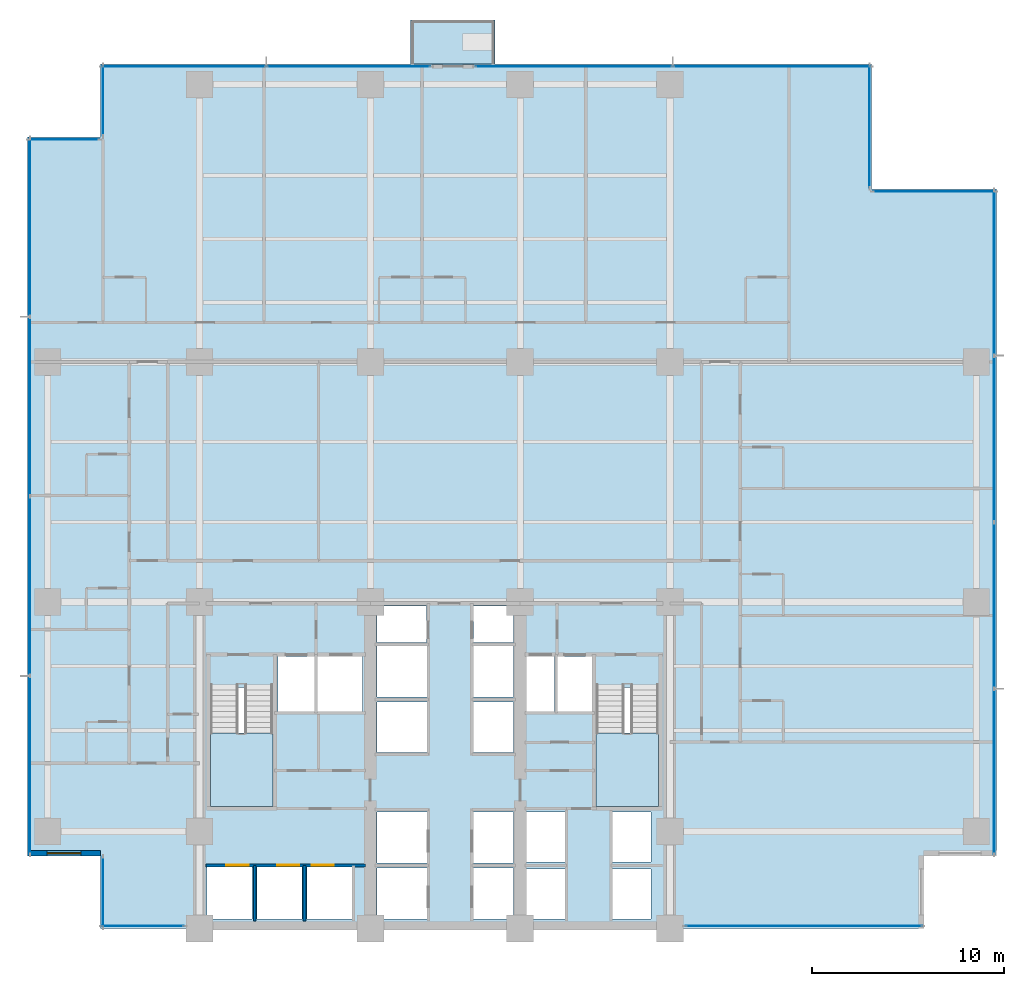
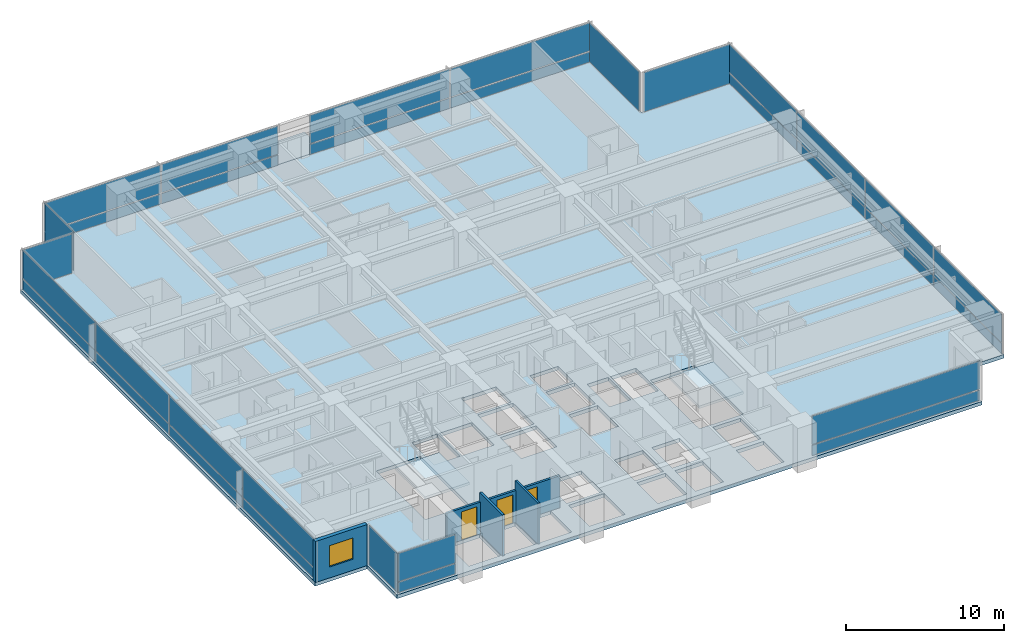
# One storey, part 6 of 16: 33 plates, 4 slabs, 4 walls, 3 doors, 1 window, 4 openings, 13 elements without a shape of their own.
"""IFC4 building model written with IfcOpenShell, lengths in metres."""

import ifcopenshell
import ifcopenshell.guid

model = None  # the IFC model being written
_history = None  # IfcOwnerHistory: only IFC2X3 demands one
_inside = {}  # id of a spatial element -> (the spatial element, [elements in it])
_under = {}  # id of a project, library or spatial element -> (it, [spatial elements below it])
_declared = {}  # id of a project -> (the project, [libraries it declares])
_typed = {}  # id of a type object -> (the type object, [elements of that type])
_made_of = {}  # id of a material, layer set ... -> (it, [elements and type objects made of it])


def new_model(schema):
    """Start an empty IFC model of exactly this schema.

    Asked for "IFC4X3", IfcOpenShell would pick the latest addendum, in which some entities
    have other attributes; the version numbers below select the first issue.
    IFC2X3 requires an IfcOwnerHistory on every rooted entity: one is made here for all.
    """
    global model, _history
    if schema == "IFC4X3":
        model = ifcopenshell.file(schema_version=(4, 3, 0, 0))
    else:
        model = ifcopenshell.file(schema=schema)
    _inside.clear()
    _under.clear()
    _declared.clear()
    _typed.clear()
    _made_of.clear()
    _history = None
    if model.schema == "IFC2X3":
        org = make("IfcOrganization", Name="unknown")
        user = make(
            "IfcPersonAndOrganization",
            ThePerson=make("IfcPerson", FamilyName="unknown"),
            TheOrganization=org,
        )
        app = make(
            "IfcApplication",
            ApplicationDeveloper=org,
            Version="unknown",
            ApplicationFullName="unknown",
            ApplicationIdentifier="unknown",
        )
        _history = make(
            "IfcOwnerHistory",
            OwningUser=user,
            OwningApplication=app,
            ChangeAction="ADDED",
            CreationDate=0,
        )
    return model


def make(cls, **values):
    """One entity of the class cls with the attributes given. An attribute that is None is left unset."""
    return model.create_entity(
        cls, **{name: value for name, value in values.items() if value is not None}
    )


def rooted(cls, **values):
    """An entity with a GlobalId (a new one), such as an element, a storey or a relation."""
    return make(cls, GlobalId=ifcopenshell.guid.new(), OwnerHistory=_history, **values)


def si_unit(unit_type, name, prefix=None):
    """IfcSIUnit, for example si_unit("LENGTHUNIT", "METRE", prefix="MILLI")."""
    return make("IfcSIUnit", UnitType=unit_type, Prefix=prefix, Name=name)


def assignment(units):
    """IfcUnitAssignment: the units of a project."""
    return None if units is None else make("IfcUnitAssignment", Units=units)


def point(xyz):
    """IfcCartesianPoint."""
    return None if xyz is None else make("IfcCartesianPoint", Coordinates=xyz)


def direction(xyz):
    """IfcDirection."""
    return None if xyz is None else make("IfcDirection", DirectionRatios=xyz)


def frame(location, z_axis=None, x_axis=None):
    """IfcAxis2Placement3D, a coordinate frame: its origin and axes. An axis left out is left unset."""
    return make(
        "IfcAxis2Placement3D",
        Location=point(location),
        Axis=direction(z_axis),
        RefDirection=direction(x_axis),
    )


def frame_2d(location, x_axis=None):
    """IfcAxis2Placement2D, a coordinate frame in the plane: its origin and x axis."""
    return make(
        "IfcAxis2Placement2D", Location=point(location), RefDirection=direction(x_axis)
    )


def origin():
    """The frame at (0, 0, 0) with its axes left unset."""
    return frame((0.0, 0.0, 0.0))


def origin_2d():
    """The frame at (0, 0) in the plane with its x axis left unset."""
    return frame_2d((0.0, 0.0))


def place(relative_to, where):
    """IfcLocalPlacement: puts the frame where relative to a parent placement (None: the world)."""
    return make(
        "IfcLocalPlacement", PlacementRelTo=relative_to, RelativePlacement=where
    )


def context(
    kind, dimensions, precision=None, world=None, true_north=None, identifier=None
):
    """IfcGeometricRepresentationContext, for example the 3D "Model" context."""
    return make(
        "IfcGeometricRepresentationContext",
        ContextIdentifier=identifier,
        ContextType=kind,
        CoordinateSpaceDimension=dimensions,
        Precision=precision,
        WorldCoordinateSystem=world,
        TrueNorth=true_north,
    )


def subcontext(parent, identifier, kind, view, scale=None):
    """IfcGeometricRepresentationSubContext, for example "Body" below "Model"."""
    return make(
        "IfcGeometricRepresentationSubContext",
        ContextIdentifier=identifier,
        ContextType=kind,
        ParentContext=parent,
        TargetScale=scale,
        TargetView=view,
    )


def project(units=None, contexts=None):
    """IfcProject with its units and contexts."""
    return rooted(
        "IfcProject",
        Name="project",
        RepresentationContexts=contexts,
        UnitsInContext=assignment(units),
    )


def spatial(cls, under=None, at=None, **own):
    """A site, building, storey or space (cls), placed at a placement, below another one or the project."""
    s = rooted(cls, ObjectPlacement=at, **own)
    if under is not None:
        _under.setdefault(under.id(), (under, []))[1].append(s)
    return s


def polyline(points):
    """IfcPolyline through the points."""
    return make("IfcPolyline", Points=[point(p) for p in points])


def profile(cls, at=None, kind="AREA", **sizes):
    """A parametric profile (cls). Its sizes go by their IFC names, for example OverallWidth=200.0."""
    return make(cls, ProfileType=kind, Position=at, **sizes)


def rectangle(**sizes):
    """IfcRectangleProfileDef."""
    return profile("IfcRectangleProfileDef", **sizes)


def outline(outer, holes=None, kind="AREA"):
    """IfcArbitraryClosedProfileDef: a profile drawn as a closed curve; with holes, ...WithVoids."""
    if holes is None:
        return make("IfcArbitraryClosedProfileDef", ProfileType=kind, OuterCurve=outer)
    return make(
        "IfcArbitraryProfileDefWithVoids",
        ProfileType=kind,
        OuterCurve=outer,
        InnerCurves=holes,
    )


def extrude(swept, where, along, depth):
    """IfcExtrudedAreaSolid: the profile swept, set in the frame where, extruded along a direction by depth."""
    return make(
        "IfcExtrudedAreaSolid",
        SweptArea=swept,
        Position=where,
        ExtrudedDirection=direction(along),
        Depth=depth,
    )


def shape(context_of_items, identifier, shape_type, items):
    """IfcShapeRepresentation: the items that make up one representation, for example the "Body"."""
    return make(
        "IfcShapeRepresentation",
        ContextOfItems=context_of_items,
        RepresentationIdentifier=identifier,
        RepresentationType=shape_type,
        Items=items,
    )


def material(Name=None, Category=None):
    """IfcMaterial."""
    return make("IfcMaterial", Name=Name, Category=Category)


def layer(
    of_material, thickness, ventilated=None, Name=None, Category=None, Priority=None
):
    """IfcMaterialLayer: one layer of a wall or slab, of a material (None: an air gap)."""
    return make(
        "IfcMaterialLayer",
        Material=of_material,
        LayerThickness=thickness,
        IsVentilated=ventilated,
        Name=Name,
        Category=Category,
        Priority=Priority,
    )


def layer_set(layers, Name=None):
    """IfcMaterialLayerSet."""
    return make("IfcMaterialLayerSet", MaterialLayers=layers, LayerSetName=Name)


def made_of(thing, what):
    """Note that an element or type object is made of a material, layer set ...; save() writes the relation."""
    if what is not None:
        _made_of.setdefault(what.id(), (what, []))[1].append(thing)
    return thing


def type_object(cls, material=None, **own):
    """A type object (cls), such as IfcWallType, which elements share."""
    return made_of(rooted(cls, **own), material)


def element(
    cls,
    number,
    at=None,
    inside=None,
    cuts=None,
    type_object=None,
    material=None,
    context=None,
    identifier="Body",
    shape_type=None,
    held_by="IfcProductDefinitionShape",
    body=None,
    shapes=None,
    **own,
):
    """One element of the class cls, such as IfcWall. Its Tag is "e" and its number.

    at: its placement. inside: the storey or other place that contains it. cuts: it is an
    opening in that element (IfcRelVoidsElement). A single representation is given by context,
    identifier, shape_type and body (its items); several are given by shapes. held_by: the class
    of the entity that holds the representations. save() writes the other relations.
    """
    e = rooted(cls, Tag="e%d" % number, ObjectPlacement=at, **own)
    if body is not None:
        shapes = [shape(context, identifier, shape_type, body)]
    if shapes is not None:
        e.Representation = make(held_by, Representations=shapes)
    if inside is not None:
        _inside.setdefault(inside.id(), (inside, []))[1].append(e)
    if cuts is not None:
        rooted(
            "IfcRelVoidsElement", RelatingBuildingElement=cuts, RelatedOpeningElement=e
        )
    if type_object is not None:
        _typed.setdefault(type_object.id(), (type_object, []))[1].append(e)
    return made_of(e, material)


def fill(opening, filler):
    """IfcRelFillsElement: the door or window that sits in an opening."""
    return rooted(
        "IfcRelFillsElement",
        RelatingOpeningElement=opening,
        RelatedBuildingElement=filler,
    )


def aggregate(whole, parts):
    """IfcRelAggregates: a whole, such as a stair, and the parts it consists of."""
    return rooted("IfcRelAggregates", RelatingObject=whole, RelatedObjects=parts)


def save(model, path):
    """Write the relations noted so far, then the file.

    IfcRelAggregates (storeys below a building ...), IfcRelContainedInSpatialStructure (elements
    in a storey), IfcRelDefinesByType, IfcRelAssociatesMaterial and IfcRelDeclares: one each for
    every whole, place, type object, material and project.
    """
    for whole, parts in _under.values():
        aggregate(whole, parts)
    for where, things in _inside.values():
        rooted(
            "IfcRelContainedInSpatialStructure",
            RelatedElements=things,
            RelatingStructure=where,
        )
    for kind, things in _typed.values():
        rooted("IfcRelDefinesByType", RelatedObjects=things, RelatingType=kind)
    for what, things in _made_of.values():
        rooted("IfcRelAssociatesMaterial", RelatedObjects=things, RelatingMaterial=what)
    for by, libraries in _declared.values():
        rooted("IfcRelDeclares", RelatingContext=by, RelatedDefinitions=libraries)
    model.write(path)


model = new_model("IFC4")

# Units and contexts
model_context = context("Model", 3, precision=1e-05, world=origin(), true_north=direction((0.0, 1.0)))
body_context = subcontext(model_context, "Body", "Model", "MODEL_VIEW")
ifc_project = project(units=[si_unit("LENGTHUNIT", "METRE"), si_unit("AREAUNIT", "SQUARE_METRE"), si_unit("VOLUMEUNIT", "CUBIC_METRE"), si_unit("PLANEANGLEUNIT", "RADIAN"), si_unit("MASSUNIT", "GRAM", prefix="KILO")], contexts=[model_context])

# Site, building, storey
site_placement = place(None, origin())
site = spatial("IfcSite", under=ifc_project, at=site_placement, CompositionType="ELEMENT")
building_placement = place(site_placement, origin())
building = spatial("IfcBuilding", under=site, at=building_placement, Name="Qalmaran Belvedere Hotel", CompositionType="ELEMENT")
storey_placement = place(building_placement, frame((0.0, 0.0, 71.89990234375)))
storey = spatial("IfcBuildingStorey", under=building, at=storey_placement, Name="L18", CompositionType="ELEMENT", Elevation=71.89990234375)

# Curtain wall, plate
ifc_material_1 = material(Name="Anodised Bronze Aluminium", Category="aluminium")
ifc_layer_1 = layer(ifc_material_1, 0.2099609375, Name="Anodised Bronze Aluminium")
ifc_layer_set_1 = layer_set([ifc_layer_1], Name="Anodised Bronze Aluminium")
curtain_wall_type = type_object("IfcCurtainWallType", Name="CW2-TOWER-LOWER", PredefinedType="NOTDEFINED", material=ifc_layer_set_1)
curtain_wall_1_placement = place(storey_placement, origin())
curtain_wall_1 = element("IfcCurtainWall", 1, at=curtain_wall_1_placement, inside=storey, type_object=curtain_wall_type, Name="L18 Curtain Wall CW2", PredefinedType="NOTDEFINED")
ifc_material_2 = material(Name="Anodised Bronze Spandrel Panel")
ifc_layer_2 = layer(ifc_material_2, 0.035888671875, Name="Anodised Bronze Spandrel Panel")
ifc_layer_set_2 = layer_set([ifc_layer_2], Name="Anodised Bronze Spandrel Panel")
plate_type_1 = type_object("IfcPlateType", Name="CWP-SPANDREL-36", PredefinedType="CURTAIN_PANEL", material=ifc_layer_set_2)
plate_1_placement = place(storey_placement, frame((17.35498046875, 3.6201171875, 0.0703125), z_axis=(0.0, 0.0, 1.0), x_axis=(1.0, 0.0, 0.0)))
plate_1 = element("IfcPlate", 2, at=plate_1_placement, type_object=plate_type_1, Name="CW2 panel 1.1", PredefinedType="CURTAIN_PANEL", context=body_context, shape_type="SweptSolid", body=[
    extrude(rectangle(XDim=4.260009765625, YDim=0.035888671875, at=origin_2d()), origin(), (0.0, 0.0, 1.0), 0.785400390625),
])

curtain_wall_2_placement = place(storey_placement, origin())
curtain_wall_2 = element("IfcCurtainWall", 3, at=curtain_wall_2_placement, inside=storey, type_object=curtain_wall_type, Name="L18 Curtain Wall CW2", PredefinedType="NOTDEFINED")
plate_2_placement = place(storey_placement, frame((51.77001953125, 3.6201171875, 0.0703125), z_axis=(0.0, 0.0, 1.0), x_axis=(1.0, 0.0, 0.0)))
plate_2 = element("IfcPlate", 4, at=plate_2_placement, type_object=plate_type_1, Name="CW2 panel 1.1", PredefinedType="CURTAIN_PANEL", context=body_context, shape_type="SweptSolid", body=[
    extrude(rectangle(XDim=12.31005859375, YDim=0.035888671875, at=origin_2d()), origin(), (0.0, 0.0, 1.0), 0.785400390625),
])

# Curtain wall, plates
curtain_wall_3_placement = place(storey_placement, origin())
curtain_wall_3 = element("IfcCurtainWall", 5, at=curtain_wall_3_placement, inside=storey, type_object=curtain_wall_type, Name="L18 Curtain Wall CW2", PredefinedType="NOTDEFINED")
plate_3_placement = place(storey_placement, frame((61.679931640625, 11.65625, 0.0703125), z_axis=(0.0, 0.0, 1.0), x_axis=(0.0, 1.0, 0.0)))
plate_3 = element("IfcPlate", 6, at=plate_3_placement, type_object=plate_type_1, Name="CW2 panel 1.1", PredefinedType="CURTAIN_PANEL", context=body_context, shape_type="SweptSolid", body=[
    extrude(rectangle(XDim=8.5625, YDim=0.035888671875, at=origin_2d()), origin(), (0.0, 0.0, 1.0), 0.785400390625),
])
plate_4_placement = place(storey_placement, frame((61.679931640625, 20.3125, 0.0703125), z_axis=(0.0, 0.0, 1.0), x_axis=(0.0, 1.0, 0.0)))
plate_4 = element("IfcPlate", 7, at=plate_4_placement, type_object=plate_type_1, Name="CW2 panel 2.1", PredefinedType="CURTAIN_PANEL", context=body_context, shape_type="SweptSolid", body=[
    extrude(rectangle(XDim=8.60009765625, YDim=0.035888671875, at=origin_2d()), origin(), (0.0, 0.0, 1.0), 0.785400390625),
])
plate_5_placement = place(storey_placement, frame((61.679931640625, 28.987548828125, 0.0703125), z_axis=(0.0, 0.0, 1.0), x_axis=(0.0, 1.0, 0.0)))
plate_5 = element("IfcPlate", 8, at=plate_5_placement, type_object=plate_type_1, Name="CW2 panel 3.1", PredefinedType="CURTAIN_PANEL", context=body_context, shape_type="SweptSolid", body=[
    extrude(rectangle(XDim=8.60009765625, YDim=0.035888671875, at=origin_2d()), origin(), (0.0, 0.0, 1.0), 0.785400390625),
])
plate_6_placement = place(storey_placement, frame((61.679931640625, 37.643798828125, 0.0703125), z_axis=(0.0, 0.0, 1.0), x_axis=(0.0, 1.0, 0.0)))
plate_6 = element("IfcPlate", 9, at=plate_6_placement, type_object=plate_type_1, Name="CW2 panel 4.1", PredefinedType="CURTAIN_PANEL", context=body_context, shape_type="SweptSolid", body=[
    extrude(rectangle(XDim=8.5625, YDim=0.035888671875, at=origin_2d()), origin(), (0.0, 0.0, 1.0), 0.785400390625),
])

curtain_wall_4_placement = place(storey_placement, origin())
curtain_wall_4 = element("IfcCurtainWall", 10, at=curtain_wall_4_placement, inside=storey, type_object=curtain_wall_type, Name="L18 Curtain Wall CW2", PredefinedType="NOTDEFINED")
plate_7_placement = place(storey_placement, frame((28.06884765625, 48.3798828125, 0.0703125), z_axis=(0.0, 0.0, 1.0), x_axis=(-1.0, 0.0, 0.0)))
plate_7 = element("IfcPlate", 11, at=plate_7_placement, type_object=plate_type_1, Name="CW2 panel 1.1", PredefinedType="CURTAIN_PANEL", context=body_context, shape_type="SweptSolid", body=[
    extrude(rectangle(XDim=8.512451171875, YDim=0.035888671875, at=origin_2d()), origin(), (0.0, 0.0, 1.0), 0.785400390625),
])
plate_8_placement = place(storey_placement, frame((19.481201171875, 48.3798828125, 0.0703125), z_axis=(0.0, 0.0, 1.0), x_axis=(-1.0, 0.0, 0.0)))
plate_8 = element("IfcPlate", 12, at=plate_8_placement, type_object=plate_type_1, Name="CW2 panel 2.1", PredefinedType="CURTAIN_PANEL", context=body_context, shape_type="SweptSolid", body=[
    extrude(rectangle(XDim=8.512451171875, YDim=0.035888671875, at=origin_2d()), origin(), (0.0, 0.0, 1.0), 0.785400390625),
])

curtain_wall_5_placement = place(storey_placement, origin())
curtain_wall_5 = element("IfcCurtainWall", 13, at=curtain_wall_5_placement, inside=storey, type_object=curtain_wall_type, Name="L18 Curtain Wall CW2", PredefinedType="NOTDEFINED")
plate_9_placement = place(storey_placement, frame((50.106201171875, 48.3798828125, 0.0703125), z_axis=(0.0, 0.0, 1.0), x_axis=(-1.0, 0.0, 0.0)))
plate_9 = element("IfcPlate", 14, at=plate_9_placement, type_object=plate_type_1, Name="CW2 panel 1.1", PredefinedType="CURTAIN_PANEL", context=body_context, shape_type="SweptSolid", body=[
    extrude(rectangle(XDim=10.237548828125, YDim=0.035888671875, at=origin_2d()), origin(), (0.0, 0.0, 1.0), 0.785400390625),
])
plate_10_placement = place(storey_placement, frame((39.793701171875, 48.3798828125, 0.0703125), z_axis=(0.0, 0.0, 1.0), x_axis=(-1.0, 0.0, 0.0)))
plate_10 = element("IfcPlate", 15, at=plate_10_placement, type_object=plate_type_1, Name="CW2 panel 2.1", PredefinedType="CURTAIN_PANEL", context=body_context, shape_type="SweptSolid", body=[
    extrude(rectangle(XDim=10.237548828125, YDim=0.035888671875, at=origin_2d()), origin(), (0.0, 0.0, 1.0), 0.785400390625),
])

curtain_wall_6_placement = place(storey_placement, origin())
curtain_wall_6 = element("IfcCurtainWall", 16, at=curtain_wall_6_placement, inside=storey, type_object=curtain_wall_type, Name="L18 Curtain Wall CW2", PredefinedType="NOTDEFINED")
plate_11_placement = place(storey_placement, frame((11.469970703125, 40.00634765625, 0.0703125), z_axis=(0.0, 0.0, 1.0), x_axis=(0.0, -1.0, 0.0)))
plate_11 = element("IfcPlate", 17, at=plate_11_placement, type_object=plate_type_1, Name="CW2 panel 1.1", PredefinedType="CURTAIN_PANEL", context=body_context, shape_type="SweptSolid", body=[
    extrude(rectangle(XDim=9.237548828125, YDim=0.035888671875, at=origin_2d()), origin(), (0.0, 0.0, 1.0), 0.785400390625),
])
plate_12_placement = place(storey_placement, frame((11.469970703125, 30.675048828125, 0.0703125), z_axis=(0.0, 0.0, 1.0), x_axis=(0.0, -1.0, 0.0)))
plate_12 = element("IfcPlate", 18, at=plate_12_placement, type_object=plate_type_1, Name="CW2 panel 2.1", PredefinedType="CURTAIN_PANEL", context=body_context, shape_type="SweptSolid", body=[
    extrude(rectangle(XDim=9.27490234375, YDim=0.035888671875, at=origin_2d()), origin(), (0.0, 0.0, 1.0), 0.785400390625),
])
plate_13_placement = place(storey_placement, frame((11.469970703125, 21.324951171875, 0.0703125), z_axis=(0.0, 0.0, 1.0), x_axis=(0.0, -1.0, 0.0)))
plate_13 = element("IfcPlate", 19, at=plate_13_placement, type_object=plate_type_1, Name="CW2 panel 3.1", PredefinedType="CURTAIN_PANEL", context=body_context, shape_type="SweptSolid", body=[
    extrude(rectangle(XDim=9.27490234375, YDim=0.035888671875, at=origin_2d()), origin(), (0.0, 0.0, 1.0), 0.785400390625),
])
plate_14_placement = place(storey_placement, frame((11.469970703125, 11.99365234375, 0.0703125), z_axis=(0.0, 0.0, 1.0), x_axis=(0.0, -1.0, 0.0)))
plate_14 = element("IfcPlate", 20, at=plate_14_placement, type_object=plate_type_1, Name="CW2 panel 4.1", PredefinedType="CURTAIN_PANEL", context=body_context, shape_type="SweptSolid", body=[
    extrude(rectangle(XDim=9.237548828125, YDim=0.035888671875, at=origin_2d()), origin(), (0.0, 0.0, 1.0), 0.785400390625),
])

# Plate
ifc_material_3 = material(Name="Solar-Control Double Glazing", Category="glass")
ifc_layer_3 = layer(ifc_material_3, 0.028076171875, Name="Solar-Control Double Glazing")
ifc_layer_set_3 = layer_set([ifc_layer_3], Name="Solar-Control Double Glazing")
plate_type_2 = type_object("IfcPlateType", Name="CWP-VISION-28", PredefinedType="CURTAIN_PANEL", material=ifc_layer_set_3)
plate_15_placement = place(storey_placement, frame((17.35498046875, 3.6201171875, 0.925537109375), z_axis=(0.0, 0.0, 1.0), x_axis=(1.0, 0.0, 0.0)))
plate_15 = element("IfcPlate", 21, at=plate_15_placement, type_object=plate_type_2, Name="CW2 panel 1.2", PredefinedType="CURTAIN_PANEL", context=body_context, shape_type="SweptSolid", body=[
    extrude(rectangle(XDim=4.260009765625, YDim=0.028076171875, at=origin_2d()), origin(), (0.0, 0.0, 1.0), 2.1845703125),
])

aggregate(curtain_wall_1, [plate_1, plate_15])

plate_16_placement = place(storey_placement, frame((51.77001953125, 3.6201171875, 0.925537109375), z_axis=(0.0, 0.0, 1.0), x_axis=(1.0, 0.0, 0.0)))
plate_16 = element("IfcPlate", 22, at=plate_16_placement, type_object=plate_type_2, Name="CW2 panel 1.2", PredefinedType="CURTAIN_PANEL", context=body_context, shape_type="SweptSolid", body=[
    extrude(rectangle(XDim=12.31005859375, YDim=0.028076171875, at=origin_2d()), origin(), (0.0, 0.0, 1.0), 2.1845703125),
])

aggregate(curtain_wall_2, [plate_2, plate_16])

plate_17_placement = place(storey_placement, frame((61.679931640625, 11.65625, 0.925537109375), z_axis=(0.0, 0.0, 1.0), x_axis=(0.0, 1.0, 0.0)))
plate_17 = element("IfcPlate", 23, at=plate_17_placement, type_object=plate_type_2, Name="CW2 panel 1.2", PredefinedType="CURTAIN_PANEL", context=body_context, shape_type="SweptSolid", body=[
    extrude(rectangle(XDim=8.5625, YDim=0.028076171875, at=origin_2d()), origin(), (0.0, 0.0, 1.0), 2.1845703125),
])

plate_18_placement = place(storey_placement, frame((61.679931640625, 20.3125, 0.925537109375), z_axis=(0.0, 0.0, 1.0), x_axis=(0.0, 1.0, 0.0)))
plate_18 = element("IfcPlate", 24, at=plate_18_placement, type_object=plate_type_2, Name="CW2 panel 2.2", PredefinedType="CURTAIN_PANEL", context=body_context, shape_type="SweptSolid", body=[
    extrude(rectangle(XDim=8.60009765625, YDim=0.028076171875, at=origin_2d()), origin(), (0.0, 0.0, 1.0), 2.1845703125),
])

plate_19_placement = place(storey_placement, frame((61.679931640625, 28.987548828125, 0.925537109375), z_axis=(0.0, 0.0, 1.0), x_axis=(0.0, 1.0, 0.0)))
plate_19 = element("IfcPlate", 25, at=plate_19_placement, type_object=plate_type_2, Name="CW2 panel 3.2", PredefinedType="CURTAIN_PANEL", context=body_context, shape_type="SweptSolid", body=[
    extrude(rectangle(XDim=8.60009765625, YDim=0.028076171875, at=origin_2d()), origin(), (0.0, 0.0, 1.0), 2.1845703125),
])

plate_20_placement = place(storey_placement, frame((61.679931640625, 37.643798828125, 0.925537109375), z_axis=(0.0, 0.0, 1.0), x_axis=(0.0, 1.0, 0.0)))
plate_20 = element("IfcPlate", 26, at=plate_20_placement, type_object=plate_type_2, Name="CW2 panel 4.2", PredefinedType="CURTAIN_PANEL", context=body_context, shape_type="SweptSolid", body=[
    extrude(rectangle(XDim=8.5625, YDim=0.028076171875, at=origin_2d()), origin(), (0.0, 0.0, 1.0), 2.1845703125),
])

aggregate(curtain_wall_3, [plate_3, plate_17, plate_4, plate_18, plate_5, plate_19, plate_6, plate_20])

# Curtain wall, plate
curtain_wall_7_placement = place(storey_placement, origin())
curtain_wall_7 = element("IfcCurtainWall", 27, at=curtain_wall_7_placement, inside=storey, type_object=curtain_wall_type, Name="L18 Curtain Wall CW2", PredefinedType="NOTDEFINED")
plate_21_placement = place(storey_placement, frame((58.550048828125, 41.8798828125, 0.070068359375), z_axis=(0.0, 0.0, 1.0), x_axis=(-1.0, 0.0, 0.0)))
plate_21 = element("IfcPlate", 28, at=plate_21_placement, type_object=plate_type_2, Name="CW2 panel 1.1", PredefinedType="CURTAIN_PANEL", context=body_context, shape_type="SweptSolid", body=[
    extrude(rectangle(XDim=6.35009765625, YDim=0.028076171875, at=origin_2d()), origin(), (0.0, 0.0, 1.0), 3.0400390625),
])
aggregate(curtain_wall_7, [plate_21])

curtain_wall_8_placement = place(storey_placement, origin())
curtain_wall_8 = element("IfcCurtainWall", 29, at=curtain_wall_8_placement, inside=storey, type_object=curtain_wall_type, Name="L18 Curtain Wall CW2", PredefinedType="NOTDEFINED")
plate_22_placement = place(storey_placement, frame((55.179931640625, 45.25, 0.070068359375), z_axis=(0.0, 0.0, 1.0), x_axis=(0.0, 1.0, 0.0)))
plate_22 = element("IfcPlate", 30, at=plate_22_placement, type_object=plate_type_2, Name="CW2 panel 1.1", PredefinedType="CURTAIN_PANEL", context=body_context, shape_type="SweptSolid", body=[
    extrude(rectangle(XDim=6.35009765625, YDim=0.028076171875, at=origin_2d()), origin(), (0.0, 0.0, 1.0), 3.0400390625),
])
aggregate(curtain_wall_8, [plate_22])

# Plate
plate_23_placement = place(storey_placement, frame((28.06884765625, 48.3798828125, 0.925537109375), z_axis=(0.0, 0.0, 1.0), x_axis=(-1.0, 0.0, 0.0)))
plate_23 = element("IfcPlate", 31, at=plate_23_placement, type_object=plate_type_2, Name="CW2 panel 1.2", PredefinedType="CURTAIN_PANEL", context=body_context, shape_type="SweptSolid", body=[
    extrude(rectangle(XDim=8.512451171875, YDim=0.028076171875, at=origin_2d()), origin(), (0.0, 0.0, 1.0), 2.1845703125),
])

plate_24_placement = place(storey_placement, frame((19.481201171875, 48.3798828125, 0.925537109375), z_axis=(0.0, 0.0, 1.0), x_axis=(-1.0, 0.0, 0.0)))
plate_24 = element("IfcPlate", 32, at=plate_24_placement, type_object=plate_type_2, Name="CW2 panel 2.2", PredefinedType="CURTAIN_PANEL", context=body_context, shape_type="SweptSolid", body=[
    extrude(rectangle(XDim=8.512451171875, YDim=0.028076171875, at=origin_2d()), origin(), (0.0, 0.0, 1.0), 2.1845703125),
])

aggregate(curtain_wall_4, [plate_7, plate_23, plate_8, plate_24])

plate_25_placement = place(storey_placement, frame((50.106201171875, 48.3798828125, 0.925537109375), z_axis=(0.0, 0.0, 1.0), x_axis=(-1.0, 0.0, 0.0)))
plate_25 = element("IfcPlate", 33, at=plate_25_placement, type_object=plate_type_2, Name="CW2 panel 1.2", PredefinedType="CURTAIN_PANEL", context=body_context, shape_type="SweptSolid", body=[
    extrude(rectangle(XDim=10.237548828125, YDim=0.028076171875, at=origin_2d()), origin(), (0.0, 0.0, 1.0), 2.1845703125),
])

plate_26_placement = place(storey_placement, frame((39.793701171875, 48.3798828125, 0.925537109375), z_axis=(0.0, 0.0, 1.0), x_axis=(-1.0, 0.0, 0.0)))
plate_26 = element("IfcPlate", 34, at=plate_26_placement, type_object=plate_type_2, Name="CW2 panel 2.2", PredefinedType="CURTAIN_PANEL", context=body_context, shape_type="SweptSolid", body=[
    extrude(rectangle(XDim=10.237548828125, YDim=0.028076171875, at=origin_2d()), origin(), (0.0, 0.0, 1.0), 2.1845703125),
])

aggregate(curtain_wall_5, [plate_9, plate_25, plate_10, plate_26])

# Curtain wall, plate
curtain_wall_9_placement = place(storey_placement, origin())
curtain_wall_9 = element("IfcCurtainWall", 35, at=curtain_wall_9_placement, inside=storey, type_object=curtain_wall_type, Name="L18 Curtain Wall CW2", PredefinedType="NOTDEFINED")
plate_27_placement = place(storey_placement, frame((15.27001953125, 46.60009765625, 0.070068359375), z_axis=(0.0, 0.0, 1.0), x_axis=(0.0, -1.0, 0.0)))
plate_27 = element("IfcPlate", 36, at=plate_27_placement, type_object=plate_type_2, Name="CW2 panel 1.1", PredefinedType="CURTAIN_PANEL", context=body_context, shape_type="SweptSolid", body=[
    extrude(rectangle(XDim=3.64990234375, YDim=0.028076171875, at=origin_2d()), origin(), (0.0, 0.0, 1.0), 3.0400390625),
])
aggregate(curtain_wall_9, [plate_27])

curtain_wall_10_placement = place(storey_placement, origin())
curtain_wall_10 = element("IfcCurtainWall", 37, at=curtain_wall_10_placement, inside=storey, type_object=curtain_wall_type, Name="L18 Curtain Wall CW2", PredefinedType="NOTDEFINED")
plate_28_placement = place(storey_placement, frame((13.25, 44.580078125, 0.070068359375), z_axis=(0.0, 0.0, 1.0), x_axis=(-1.0, 0.0, 0.0)))
plate_28 = element("IfcPlate", 38, at=plate_28_placement, type_object=plate_type_2, Name="CW2 panel 1.1", PredefinedType="CURTAIN_PANEL", context=body_context, shape_type="SweptSolid", body=[
    extrude(rectangle(XDim=3.64990234375, YDim=0.028076171875, at=origin_2d()), origin(), (0.0, 0.0, 1.0), 3.0400390625),
])
aggregate(curtain_wall_10, [plate_28])

# Plate
plate_29_placement = place(storey_placement, frame((11.469970703125, 40.00634765625, 0.925537109375), z_axis=(0.0, 0.0, 1.0), x_axis=(0.0, -1.0, 0.0)))
plate_29 = element("IfcPlate", 39, at=plate_29_placement, type_object=plate_type_2, Name="CW2 panel 1.2", PredefinedType="CURTAIN_PANEL", context=body_context, shape_type="SweptSolid", body=[
    extrude(rectangle(XDim=9.237548828125, YDim=0.028076171875, at=origin_2d()), origin(), (0.0, 0.0, 1.0), 2.1845703125),
])

plate_30_placement = place(storey_placement, frame((11.469970703125, 30.675048828125, 0.925537109375), z_axis=(0.0, 0.0, 1.0), x_axis=(0.0, -1.0, 0.0)))
plate_30 = element("IfcPlate", 40, at=plate_30_placement, type_object=plate_type_2, Name="CW2 panel 2.2", PredefinedType="CURTAIN_PANEL", context=body_context, shape_type="SweptSolid", body=[
    extrude(rectangle(XDim=9.27490234375, YDim=0.028076171875, at=origin_2d()), origin(), (0.0, 0.0, 1.0), 2.1845703125),
])

plate_31_placement = place(storey_placement, frame((11.469970703125, 21.324951171875, 0.925537109375), z_axis=(0.0, 0.0, 1.0), x_axis=(0.0, -1.0, 0.0)))
plate_31 = element("IfcPlate", 41, at=plate_31_placement, type_object=plate_type_2, Name="CW2 panel 3.2", PredefinedType="CURTAIN_PANEL", context=body_context, shape_type="SweptSolid", body=[
    extrude(rectangle(XDim=9.27490234375, YDim=0.028076171875, at=origin_2d()), origin(), (0.0, 0.0, 1.0), 2.1845703125),
])

plate_32_placement = place(storey_placement, frame((11.469970703125, 11.99365234375, 0.925537109375), z_axis=(0.0, 0.0, 1.0), x_axis=(0.0, -1.0, 0.0)))
plate_32 = element("IfcPlate", 42, at=plate_32_placement, type_object=plate_type_2, Name="CW2 panel 4.2", PredefinedType="CURTAIN_PANEL", context=body_context, shape_type="SweptSolid", body=[
    extrude(rectangle(XDim=9.237548828125, YDim=0.028076171875, at=origin_2d()), origin(), (0.0, 0.0, 1.0), 2.1845703125),
])

aggregate(curtain_wall_6, [plate_11, plate_29, plate_12, plate_30, plate_13, plate_31, plate_14, plate_32])

# Curtain wall, plate
curtain_wall_11_placement = place(storey_placement, origin())
curtain_wall_11 = element("IfcCurtainWall", 43, at=curtain_wall_11_placement, inside=storey, type_object=curtain_wall_type, Name="L18 Curtain Wall CW2", PredefinedType="NOTDEFINED")
plate_33_placement = place(storey_placement, frame((15.27001953125, 5.39990234375, 0.070068359375), z_axis=(0.0, 0.0, 1.0), x_axis=(0.0, -1.0, 0.0)))
plate_33 = element("IfcPlate", 44, at=plate_33_placement, type_object=plate_type_2, Name="CW2 panel 1.1", PredefinedType="CURTAIN_PANEL", context=body_context, shape_type="SweptSolid", body=[
    extrude(rectangle(XDim=3.64990234375, YDim=0.028076171875, at=origin_2d()), origin(), (0.0, 0.0, 1.0), 3.0400390625),
])
aggregate(curtain_wall_11, [plate_33])

# Slab
ifc_material_4 = material(Name="Concrete C40/50", Category="concrete")
ifc_layer_4 = layer(ifc_material_4, 0.219970703125, Name="Concrete C40/50")
ifc_layer_set_4 = layer_set([ifc_layer_4], Name="Concrete C40/50")
slab_type_1 = type_object("IfcSlabType", Name="SLB-BAL-220", PredefinedType="USERDEFINED", material=ifc_layer_set_4)
slab_1_placement = place(storey_placement, frame((0.0, 0.0, -0.219970703125)))
element("IfcSlab", 45, at=slab_1_placement, inside=storey, type_object=slab_type_1, Name="L18 Planted Tree Balcony Slab 1", ObjectType="BALCONY", PredefinedType="USERDEFINED", context=body_context, shape_type="SweptSolid", body=[
    extrude(outline(polyline([(31.300048828125, 48.5), (35.699951171875, 48.5), (35.699951171875, 50.800048828125), (31.300048828125, 50.800048828125), (31.300048828125, 48.5)])), origin(), (0.0, 0.0, 1.0), 0.219970703125),
])

# Stair, slab
stair_type_1 = type_object("IfcStairType", Name="STR-ST-1-1450-R1750", PredefinedType="HALF_TURN_STAIR", material=ifc_material_4)
stair_1_placement = place(storey_placement, origin())
stair_1 = element("IfcStair", 46, at=stair_1_placement, inside=storey, type_object=stair_type_1, Name="L18 West Core Exit Stair ST-1", PredefinedType="HALF_TURN_STAIR")
ifc_layer_5 = layer(ifc_material_4, 0.199951171875, Name="Concrete C40/50")
ifc_layer_set_5 = layer_set([ifc_layer_5], Name="Concrete C40/50")
slab_type_2 = type_object("IfcSlabType", Name="SLB-STAIR-LANDING-200", PredefinedType="LANDING", material=ifc_layer_set_5)
slab_2_placement = place(storey_placement, frame((0.0, 0.0, 1.550048828125)))
slab_2 = element("IfcSlab", 47, at=slab_2_placement, type_object=slab_type_2, Name="ST-1 landing 1", PredefinedType="LANDING", context=body_context, shape_type="SweptSolid", body=[
    extrude(outline(polyline([(20.8798828125, 13.669921875), (20.8798828125, 9.85009765625), (24.1201171875, 9.85009765625), (24.1201171875, 13.669921875), (20.8798828125, 13.669921875)])), origin(), (0.0, 0.0, 1.0), 0.199951171875),
])
aggregate(stair_1, [slab_2])

stair_type_2 = type_object("IfcStairType", Name="STR-ST-2-1450-R1750", PredefinedType="HALF_TURN_STAIR", material=ifc_material_4)
stair_2_placement = place(storey_placement, origin())
stair_2 = element("IfcStair", 48, at=stair_2_placement, inside=storey, type_object=stair_type_2, Name="L18 East Core Exit Stair ST-2", PredefinedType="HALF_TURN_STAIR")
slab_3_placement = place(storey_placement, frame((0.0, 0.0, 1.550048828125)))
slab_3 = element("IfcSlab", 49, at=slab_3_placement, type_object=slab_type_2, Name="ST-2 landing 1", PredefinedType="LANDING", context=body_context, shape_type="SweptSolid", body=[
    extrude(outline(polyline([(40.9599609375, 13.669921875), (40.9599609375, 9.85009765625), (44.199951171875, 9.85009765625), (44.199951171875, 13.669921875), (40.9599609375, 13.669921875)])), origin(), (0.0, 0.0, 1.0), 0.199951171875),
])
aggregate(stair_2, [slab_3])

# Slab
ifc_layer_6 = layer(ifc_material_4, 0.280029296875, Name="Concrete C40/50")
ifc_layer_set_6 = layer_set([ifc_layer_6], Name="Concrete C40/50")
slab_type_3 = type_object("IfcSlabType", Name="SLB-Z1-280", PredefinedType="FLOOR", material=ifc_layer_set_6)
slab_4_placement = place(storey_placement, frame((0.0, 0.0, -0.27978515625)))
element("IfcSlab", 50, at=slab_4_placement, inside=storey, type_object=slab_type_3, Name="L18 Structural Floor Slab", PredefinedType="FLOOR", context=body_context, shape_type="SweptSolid", body=[
    extrude(outline(polyline([(15.14990234375, 3.5), (58.0, 3.5), (58.0, 7.300048828125), (61.800048828125, 7.300048828125), (61.800048828125, 42.0), (55.300048828125, 42.0), (55.300048828125, 48.5), (15.14990234375, 48.5), (15.14990234375, 44.699951171875), (11.35009765625, 44.699951171875), (11.35009765625, 7.300048828125), (15.14990234375, 7.300048828125), (15.14990234375, 3.5)]), holes=[polyline([(20.8798828125, 9.85009765625), (24.1201171875, 9.85009765625), (24.1201171875, 16.0400390625), (20.8798828125, 16.0400390625), (20.8798828125, 9.85009765625)]), polyline([(40.9599609375, 9.85009765625), (44.199951171875, 9.85009765625), (44.199951171875, 16.0400390625), (40.9599609375, 16.0400390625), (40.9599609375, 9.85009765625)]), polyline([(29.544921875, 4.0), (32.14990234375, 4.0), (32.14990234375, 6.64990234375), (29.544921875, 6.64990234375), (29.544921875, 4.0)]), polyline([(29.544921875, 6.89990234375), (32.14990234375, 6.89990234375), (32.14990234375, 9.550048828125), (29.544921875, 9.550048828125), (29.544921875, 6.89990234375)]), polyline([(34.550048828125, 4.0), (36.655029296875, 4.0), (36.655029296875, 6.64990234375), (34.550048828125, 6.64990234375), (34.550048828125, 4.0)]), polyline([(34.550048828125, 6.89990234375), (36.655029296875, 6.89990234375), (36.655029296875, 9.550048828125), (34.550048828125, 9.550048828125), (34.550048828125, 6.89990234375)]), polyline([(29.544921875, 12.64990234375), (32.14990234375, 12.64990234375), (32.14990234375, 15.300048828125), (29.544921875, 15.300048828125), (29.544921875, 12.64990234375)]), polyline([(29.544921875, 15.550048828125), (32.14990234375, 15.550048828125), (32.14990234375, 18.199951171875), (29.544921875, 18.199951171875), (29.544921875, 15.550048828125)]), polyline([(34.550048828125, 12.64990234375), (36.655029296875, 12.64990234375), (36.655029296875, 15.300048828125), (34.550048828125, 15.300048828125), (34.550048828125, 12.64990234375)]), polyline([(34.550048828125, 15.550048828125), (36.655029296875, 15.550048828125), (36.655029296875, 18.199951171875), (34.550048828125, 18.199951171875), (34.550048828125, 15.550048828125)]), polyline([(37.300048828125, 4.0), (39.35009765625, 4.0), (39.35009765625, 6.60009765625), (37.300048828125, 6.60009765625), (37.300048828125, 4.0)]), polyline([(37.300048828125, 6.949951171875), (39.35009765625, 6.949951171875), (39.35009765625, 9.550048828125), (37.300048828125, 9.550048828125), (37.300048828125, 6.949951171875)]), polyline([(41.800048828125, 4.0), (43.800048828125, 4.0), (43.800048828125, 6.60009765625), (41.800048828125, 6.60009765625), (41.800048828125, 4.0)]), polyline([(41.800048828125, 6.949951171875), (43.800048828125, 6.949951171875), (43.800048828125, 9.550048828125), (41.800048828125, 9.550048828125), (41.800048828125, 6.949951171875)]), polyline([(20.699951171875, 4.0), (23.050048828125, 4.0), (23.050048828125, 6.699951171875), (20.699951171875, 6.699951171875), (20.699951171875, 4.0)]), polyline([(23.300048828125, 4.0), (25.64990234375, 4.0), (25.64990234375, 6.699951171875), (23.300048828125, 6.699951171875), (23.300048828125, 4.0)]), polyline([(25.89990234375, 4.0), (28.25, 4.0), (28.25, 6.699951171875), (25.89990234375, 6.699951171875), (25.89990234375, 4.0)]), polyline([(24.39990234375, 14.800048828125), (26.300048828125, 14.800048828125), (26.300048828125, 17.64990234375), (24.39990234375, 17.64990234375), (24.39990234375, 14.800048828125)]), polyline([(38.949951171875, 14.800048828125), (40.820068359375, 14.800048828125), (40.820068359375, 17.64990234375), (38.949951171875, 17.64990234375), (38.949951171875, 14.800048828125)]), polyline([(26.449951171875, 14.800048828125), (28.800048828125, 14.800048828125), (28.800048828125, 17.64990234375), (26.449951171875, 17.64990234375), (26.449951171875, 14.800048828125)]), polyline([(37.25, 14.800048828125), (38.800048828125, 14.800048828125), (38.800048828125, 17.64990234375), (37.25, 17.64990234375), (37.25, 14.800048828125)]), polyline([(29.544921875, 18.3798828125), (32.1201171875, 18.3798828125), (32.1201171875, 20.300048828125), (29.544921875, 20.300048828125), (29.544921875, 18.3798828125)]), polyline([(34.580078125, 18.3798828125), (36.655029296875, 18.3798828125), (36.655029296875, 20.300048828125), (34.580078125, 20.300048828125), (34.580078125, 18.3798828125)])]), origin(), (0.0, 0.0, 1.0), 0.27978515625),
])

# Wall, opening, window
ifc_material_5 = material(Name="Anodised Bronze Cladding")
ifc_layer_7 = layer(ifc_material_5, 0.280029296875, Name="Anodised Bronze Cladding")
ifc_layer_set_7 = layer_set([ifc_layer_7], Name="Anodised Bronze Cladding")
wall_type_1 = type_object("IfcWallType", Name="WL-EXT-BRNZ-280", PredefinedType="SOLIDWALL", material=ifc_layer_set_7)
wall_1_placement = place(storey_placement, frame((11.35009765625, 7.419921875, 0.0), z_axis=(0.0, 0.0, 1.0), x_axis=(1.0, 0.0, 0.0)))
wall_1 = element("IfcWall", 51, at=wall_1_placement, inside=storey, type_object=wall_type_1, Name="L18 Corner Notch Wall 10", PredefinedType="SOLIDWALL", context=body_context, shape_type="SweptSolid", body=[
    extrude(rectangle(XDim=3.7998046875, YDim=0.280029296875, at=frame_2d((1.89990234375, 0.0))), origin(), (0.0, 0.0, 1.0), 3.18017578125),
])
opening_1_placement = place(wall_1_placement, frame((1.02490234375, 0.0, 0.85009765625)))
opening_1 = element("IfcOpeningElement", 52, at=opening_1_placement, cuts=wall_1, Name="Opening W-N17", PredefinedType="OPENING", context=body_context, shape_type="SweptSolid", body=[
    extrude(rectangle(XDim=1.75, YDim=1.64990234375, at=frame_2d((0.875, 0.824951171875))), frame((0.0, 0.14990234375, 0.0), z_axis=(0.0, -1.0, 0.0), x_axis=(1.0, 0.0, 0.0)), (0.0, 0.0, 1.0), 0.300048828125),
])
window_type = type_object("IfcWindowType", Name="WN-NTC-1750X1650", PartitioningType="SINGLE_PANEL", PredefinedType="WINDOW", material=ifc_material_3)
window_placement = place(opening_1_placement, origin())
window = element("IfcWindow", 53, at=window_placement, inside=storey, type_object=window_type, Name="L18 Corner Notch Window 10", OverallHeight=1.64990234375, OverallWidth=1.75, PartitioningType="SINGLE_PANEL", PredefinedType="WINDOW", context=body_context, shape_type="SweptSolid", body=[
    extrude(rectangle(XDim=1.75, YDim=1.64990234375, at=frame_2d((0.875, 0.824951171875))), frame((0.0, 0.030029296875, 0.0), z_axis=(0.0, -1.0, 0.0), x_axis=(1.0, 0.0, 0.0)), (0.0, 0.0, 1.0), 0.06005859375),
])
fill(opening_1, window)

# Walls
ifc_material_6 = material(Name="Gypsum Stud Partition")
ifc_layer_8 = layer(ifc_material_6, 0.14990234375, Name="Gypsum Stud Partition")
ifc_layer_set_8 = layer_set([ifc_layer_8], Name="Gypsum Stud Partition")
wall_type_2 = type_object("IfcWallType", Name="WL-INT-150-EI120", PredefinedType="PARTITIONING", material=ifc_layer_set_8)
for number, where, z_axis, x_axis, name in (
    (54, (23.179931640625, 3.89990234375, 0.0), (0.0, 0.0, 1.0), (0.0, 1.0, 0.0), "L18 Partition WL-POM1-L18"),
    (55, (25.780029296875, 3.89990234375, 0.0), (0.0, 0.0, 1.0), (0.0, 1.0, 0.0), "L18 Partition WL-POM2-L18"),
):
    element("IfcWall", number, at=place(storey_placement, frame(where, z_axis=z_axis, x_axis=x_axis)), inside=storey, type_object=wall_type_2, Name=name, PredefinedType="PARTITIONING", context=body_context, shape_type="SweptSolid", body=[
        extrude(rectangle(XDim=2.880126953125, YDim=0.14990234375, at=frame_2d((1.43994140625, 0.0))), origin(), (0.0, 0.0, 1.0), 3.18017578125),
    ])

# Wall, openings, doors
ifc_layer_9 = layer(ifc_material_6, 0.159912109375, Name="Gypsum Stud Partition")
ifc_layer_set_9 = layer_set([ifc_layer_9], Name="Gypsum Stud Partition")
wall_type_3 = type_object("IfcWallType", Name="WL-INT-160-EI120", PredefinedType="PARTITIONING", material=ifc_layer_set_9)
wall_2_placement = place(storey_placement, frame((20.64990234375, 6.780029296875, 0.0), z_axis=(0.0, 0.0, 1.0), x_axis=(1.0, 0.0, 0.0)))
wall_2 = element("IfcWall", 56, at=wall_2_placement, inside=storey, type_object=wall_type_3, Name="L18 Partition WL-POS-L18", PredefinedType="PARTITIONING", context=body_context, shape_type="SweptSolid", body=[
    extrude(rectangle(XDim=8.300048828125, YDim=0.159912109375, at=frame_2d((4.14990234375, 0.0))), origin(), (0.0, 0.0, 1.0), 2.47021484375),
])
opening_2_placement = place(wall_2_placement, frame((3.69482421875, 0.0, 0.0)))
opening_2 = element("IfcOpeningElement", 57, at=opening_2_placement, cuts=wall_2, Name="Opening LD-PO", PredefinedType="OPENING", context=body_context, shape_type="SweptSolid", body=[
    extrude(rectangle(XDim=1.14990234375, YDim=2.199951171875, at=frame_2d((0.574951171875, 1.10009765625))), frame((0.0, 0.08984375, 0.0), z_axis=(0.0, -1.0, 0.0), x_axis=(1.0, 0.0, 0.0)), (0.0, 0.0, 1.0), 0.179931640625),
])
opening_3_placement = place(wall_2_placement, frame((5.4921875, 0.0, 0.0)))
opening_3 = element("IfcOpeningElement", 58, at=opening_3_placement, cuts=wall_2, Name="Opening LD-PO", PredefinedType="OPENING", context=body_context, shape_type="SweptSolid", body=[
    extrude(rectangle(XDim=1.14990234375, YDim=2.199951171875, at=frame_2d((0.574951171875, 1.10009765625))), frame((0.0, 0.08984375, 0.0), z_axis=(0.0, -1.0, 0.0), x_axis=(1.0, 0.0, 0.0)), (0.0, 0.0, 1.0), 0.179931640625),
])
opening_4_placement = place(wall_2_placement, frame((1.058837890625, 0.0, 0.0)))
opening_4 = element("IfcOpeningElement", 59, at=opening_4_placement, cuts=wall_2, Name="Opening LD-PO", PredefinedType="OPENING", context=body_context, shape_type="SweptSolid", body=[
    extrude(rectangle(XDim=1.14990234375, YDim=2.199951171875, at=frame_2d((0.574951171875, 1.10009765625))), frame((0.0, 0.08984375, 0.0), z_axis=(0.0, -1.0, 0.0), x_axis=(1.0, 0.0, 0.0)), (0.0, 0.0, 1.0), 0.179931640625),
])
door_type = type_object("IfcDoorType", Name="DR-LIFT-PO-1150X2200", OperationType="DOUBLE_DOOR_SLIDING", PredefinedType="DOOR", material=ifc_material_1)
door_1_placement = place(opening_2_placement, origin())
door_1 = element("IfcDoor", 60, at=door_1_placement, inside=storey, type_object=door_type, Name="L18 PO1 Shuttle Landing Door", OperationType="DOUBLE_DOOR_SLIDING", OverallHeight=2.199951171875, OverallWidth=1.14990234375, PredefinedType="DOOR", context=body_context, shape_type="SweptSolid", body=[
    extrude(rectangle(XDim=1.14990234375, YDim=2.199951171875, at=frame_2d((0.574951171875, 1.10009765625))), frame((0.0, 0.02490234375, 0.0), z_axis=(0.0, -1.0, 0.0), x_axis=(1.0, 0.0, 0.0)), (0.0, 0.0, 1.0), 0.050048828125),
])
fill(opening_2, door_1)
door_2_placement = place(opening_3_placement, origin())
door_2 = element("IfcDoor", 61, at=door_2_placement, inside=storey, type_object=door_type, Name="L18 PO2 Shuttle Landing Door", OperationType="DOUBLE_DOOR_SLIDING", OverallHeight=2.199951171875, OverallWidth=1.14990234375, PredefinedType="DOOR", context=body_context, shape_type="SweptSolid", body=[
    extrude(rectangle(XDim=1.14990234375, YDim=2.199951171875, at=frame_2d((0.574951171875, 1.10009765625))), frame((0.0, 0.02490234375, 0.0), z_axis=(0.0, -1.0, 0.0), x_axis=(1.0, 0.0, 0.0)), (0.0, 0.0, 1.0), 0.050048828125),
])
fill(opening_3, door_2)
door_3_placement = place(opening_4_placement, origin())
door_3 = element("IfcDoor", 62, at=door_3_placement, inside=storey, type_object=door_type, Name="L18 PO3 Shuttle Landing Door", OperationType="DOUBLE_DOOR_SLIDING", OverallHeight=2.199951171875, OverallWidth=1.14990234375, PredefinedType="DOOR", context=body_context, shape_type="SweptSolid", body=[
    extrude(rectangle(XDim=1.14990234375, YDim=2.199951171875, at=frame_2d((0.574951171875, 1.10009765625))), frame((0.0, 0.02490234375, 0.0), z_axis=(0.0, -1.0, 0.0), x_axis=(1.0, 0.0, 0.0)), (0.0, 0.0, 1.0), 0.050048828125),
])
fill(opening_4, door_3)

save(model, "model.ifc")
